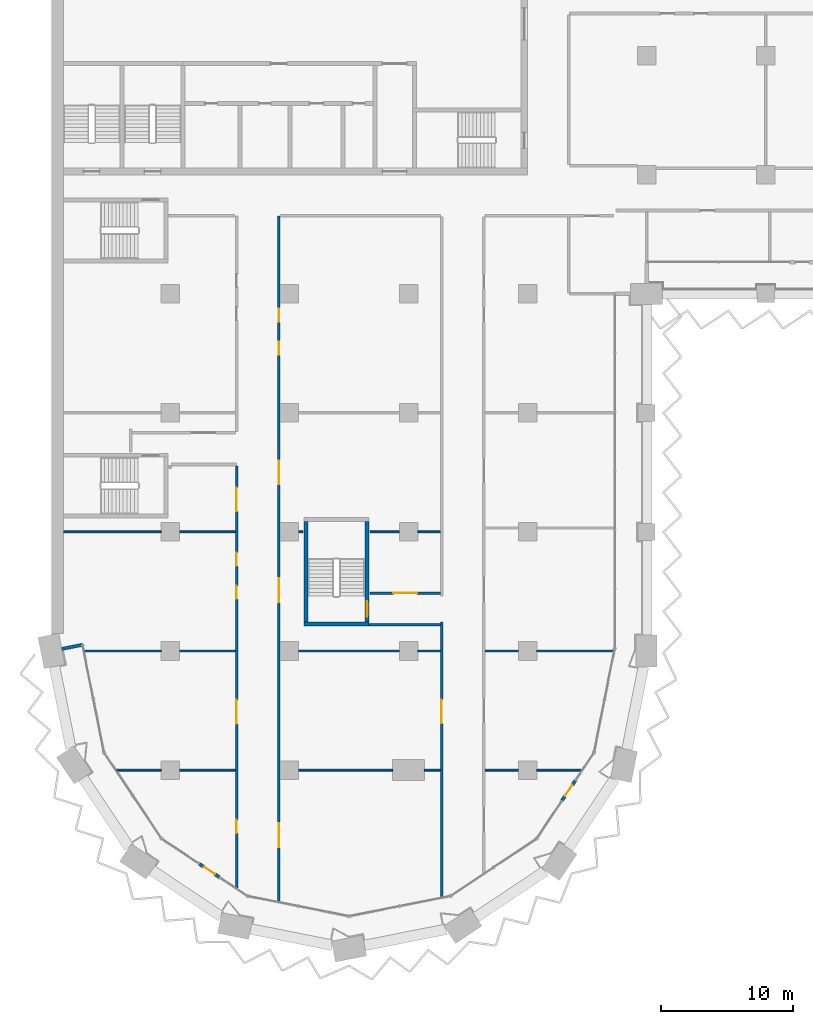
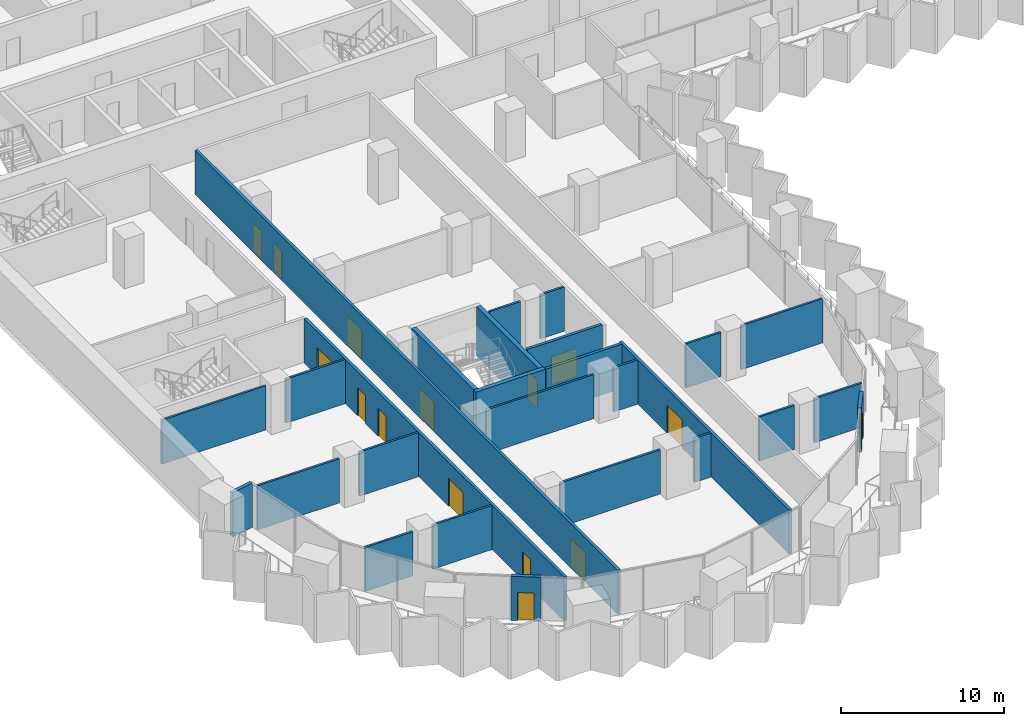
# One storey, part 10 of 29: 28 walls, 15 doors, 15 openings.
"""IFC4 building model written with IfcOpenShell, lengths in metres."""

from ifc_helpers import new_model, si_unit, direction, frame, frame_2d, origin, place, context, subcontext, project, spatial, rectangle, extrude, material, layer, layer_set, type_object, element, fill, save


model = new_model("IFC4")

# Units and contexts
model_context = context("Model", 3, precision=1e-05, world=origin(), true_north=direction((0.0, 1.0)))
body_context = subcontext(model_context, "Body", "Model", "MODEL_VIEW")
ifc_project = project(units=[si_unit("LENGTHUNIT", "METRE"), si_unit("AREAUNIT", "SQUARE_METRE"), si_unit("VOLUMEUNIT", "CUBIC_METRE"), si_unit("PLANEANGLEUNIT", "RADIAN"), si_unit("MASSUNIT", "GRAM", prefix="KILO")], contexts=[model_context])

# Site, building, storey
site_placement = place(None, origin())
site = spatial("IfcSite", under=ifc_project, at=site_placement, CompositionType="ELEMENT")
building_placement = place(site_placement, origin())
building = spatial("IfcBuilding", under=site, at=building_placement, Name="Hunhe Ridgeline Campus", CompositionType="ELEMENT")
storey_placement = place(building_placement, frame((0.0, 0.0, 65.39990234375)))
storey = spatial("IfcBuildingStorey", under=building, at=storey_placement, Name="L15", CompositionType="ELEMENT", Elevation=65.39990234375)

# Walls
ifc_material_1 = material(Name="Concrete C30", Category="concrete")
ifc_layer_1 = layer(ifc_material_1, 0.25)
ifc_layer_set_1 = layer_set([ifc_layer_1], Name="Corner return wall 250 Concrete C30")
wall_type_1 = type_object("IfcWallType", Name="Corner return wall 250 Concrete C30", PredefinedType="SOLIDWALL", material=ifc_layer_set_1)
wall_1_placement = place(storey_placement, frame((0.784423828125, 27.15673828125, 0.0), z_axis=(0.0, 0.0, 1.0), x_axis=(0.980826234823, 0.19488431718, 0.0)))
element("IfcWall", 1, at=wall_1_placement, inside=storey, type_object=wall_type_1, Name="Corner return wall 1", PredefinedType="SOLIDWALL", context=body_context, shape_type="SweptSolid", body=[
    extrude(rectangle(XDim=1.60107421875, YDim=0.25, at=frame_2d((0.800537109375, 0.0))), origin(), (0.0, 0.0, 1.0), 3.300048828125),
])
ifc_material_2 = material(Name="Gypsum board partition")
ifc_layer_2 = layer(ifc_material_2, 0.199951171875)
ifc_layer_set_2 = layer_set([ifc_layer_2], Name="Corridor partition 200 gypsum board on steel studs")
wall_type_2 = type_object("IfcWallType", Name="Corridor partition 200 gypsum board on steel studs", PredefinedType="PARTITIONING", material=ifc_layer_set_2)
wall_2_placement = place(storey_placement, frame((29.39990234375, 28.97509765625, 0.0), z_axis=(0.0, 0.0, 1.0), x_axis=(-1.0, 0.0, 0.0)))
element("IfcWall", 2, at=wall_2_placement, inside=storey, type_object=wall_type_2, Name="F-L15-wall-013", PredefinedType="PARTITIONING", context=body_context, shape_type="SweptSolid", body=[
    extrude(rectangle(XDim=5.369873046875, YDim=0.199951171875, at=frame_2d((2.68505859375, 0.0))), origin(), (0.0, 0.0, 1.0), 3.300048828125),
])

# Wall, opening, door
wall_3_placement = place(storey_placement, frame((24.10400390625, 31.375, 0.0), z_axis=(0.0, 0.0, 1.0), x_axis=(1.0, 0.0, 0.0)))
wall_3 = element("IfcWall", 3, at=wall_3_placement, inside=storey, type_object=wall_type_2, Name="F-L15-wall-014", PredefinedType="PARTITIONING", context=body_context, shape_type="SweptSolid", body=[
    extrude(rectangle(XDim=5.2958984375, YDim=0.199951171875, at=frame_2d((2.64794921875, 0.0))), origin(), (0.0, 0.0, 1.0), 3.300048828125),
])
opening_1_placement = place(wall_3_placement, frame((1.748046875, 0.0, 0.0)))
opening_1 = element("IfcOpeningElement", 4, at=opening_1_placement, cuts=wall_3, Name="Opening RD2-008", PredefinedType="OPENING", context=body_context, shape_type="SweptSolid", body=[
    extrude(rectangle(XDim=1.800048828125, YDim=2.10009765625, at=frame_2d((0.89990234375, 1.050048828125))), frame((0.0, 0.10009765625, 0.0), z_axis=(0.0, -1.0, 0.0), x_axis=(1.0, 0.0, 0.0)), (0.0, 0.0, 1.0), 0.199951171875),
])
ifc_material_3 = material(Name="Timber door leaf", Category="wood")
door_type_1 = type_object("IfcDoorType", Name="Double fire door 1800x2100 timber FD60", OperationType="DOUBLE_DOOR_SINGLE_SWING", PredefinedType="DOOR", material=ifc_material_3)
door_1_placement = place(opening_1_placement, origin())
door_1 = element("IfcDoor", 5, at=door_1_placement, inside=storey, type_object=door_type_1, Name="F-L15-door-008", OperationType="DOUBLE_DOOR_SINGLE_SWING", OverallHeight=2.10009765625, OverallWidth=1.800048828125, PredefinedType="DOOR", context=body_context, shape_type="SweptSolid", body=[
    extrude(rectangle(XDim=1.800048828125, YDim=2.10009765625, at=frame_2d((0.89990234375, 1.050048828125))), frame((0.0, 0.02490234375, 0.0), z_axis=(0.0, -1.0, 0.0), x_axis=(1.0, 0.0, 0.0)), (0.0, 0.0, 1.0), 0.050048828125),
])
fill(opening_1, door_1)

# Wall, openings, doors
wall_4_placement = place(storey_placement, frame((14.0, 9.091552734375, 0.0), z_axis=(0.0, 0.0, 1.0), x_axis=(0.0, 1.0, 0.0)))
wall_4 = element("IfcWall", 6, at=wall_4_placement, inside=storey, type_object=wall_type_2, Name="F-L15-wall-052", PredefinedType="PARTITIONING", context=body_context, shape_type="SweptSolid", body=[
    extrude(rectangle(XDim=31.8798828125, YDim=0.199951171875, at=frame_2d((15.93994140625, 0.0))), origin(), (0.0, 0.0, 1.0), 3.300048828125),
])
opening_2_placement = place(wall_4_placement, frame((4.143798828125, 0.0, 0.0)))
opening_2 = element("IfcOpeningElement", 7, at=opening_2_placement, cuts=wall_4, Name="Opening RD1-002", PredefinedType="OPENING", context=body_context, shape_type="SweptSolid", body=[
    extrude(rectangle(XDim=1.0, YDim=2.10009765625, at=frame_2d((0.5, 1.050048828125))), frame((0.0, 0.10009765625, 0.0), z_axis=(0.0, -1.0, 0.0), x_axis=(1.0, 0.0, 0.0)), (0.0, 0.0, 1.0), 0.199951171875),
])
opening_3_placement = place(wall_4_placement, frame((12.404296875, 0.0, 0.0)))
opening_3 = element("IfcOpeningElement", 8, at=opening_3_placement, cuts=wall_4, Name="Opening RD2-004", PredefinedType="OPENING", context=body_context, shape_type="SweptSolid", body=[
    extrude(rectangle(XDim=1.800048828125, YDim=2.10009765625, at=frame_2d((0.89990234375, 1.050048828125))), frame((0.0, 0.10009765625, 0.0), z_axis=(0.0, -1.0, 0.0), x_axis=(1.0, 0.0, 0.0)), (0.0, 0.0, 1.0), 0.199951171875),
])
opening_4_placement = place(wall_4_placement, frame((21.841064453125, 0.0, 0.0)))
opening_4 = element("IfcOpeningElement", 9, at=opening_4_placement, cuts=wall_4, Name="Opening RD1-007", PredefinedType="OPENING", context=body_context, shape_type="SweptSolid", body=[
    extrude(rectangle(XDim=1.0, YDim=2.10009765625, at=frame_2d((0.5, 1.050048828125))), frame((0.0, 0.10009765625, 0.0), z_axis=(0.0, -1.0, 0.0), x_axis=(1.0, 0.0, 0.0)), (0.0, 0.0, 1.0), 0.199951171875),
])
opening_5_placement = place(wall_4_placement, frame((24.341064453125, 0.0, 0.0)))
opening_5 = element("IfcOpeningElement", 10, at=opening_5_placement, cuts=wall_4, Name="Opening RD1-011", PredefinedType="OPENING", context=body_context, shape_type="SweptSolid", body=[
    extrude(rectangle(XDim=1.0, YDim=2.10009765625, at=frame_2d((0.5, 1.050048828125))), frame((0.0, 0.10009765625, 0.0), z_axis=(0.0, -1.0, 0.0), x_axis=(1.0, 0.0, 0.0)), (0.0, 0.0, 1.0), 0.199951171875),
])
opening_6_placement = place(wall_4_placement, frame((28.469482421875, 0.0, 0.0)))
opening_6 = element("IfcOpeningElement", 11, at=opening_6_placement, cuts=wall_4, Name="Opening RD2-012", PredefinedType="OPENING", context=body_context, shape_type="SweptSolid", body=[
    extrude(rectangle(XDim=1.800048828125, YDim=2.10009765625, at=frame_2d((0.89990234375, 1.050048828125))), frame((0.0, 0.10009765625, 0.0), z_axis=(0.0, -1.0, 0.0), x_axis=(1.0, 0.0, 0.0)), (0.0, 0.0, 1.0), 0.199951171875),
])
door_2_placement = place(opening_3_placement, origin())
door_2 = element("IfcDoor", 12, at=door_2_placement, inside=storey, type_object=door_type_1, Name="F-L15-door-004", OperationType="DOUBLE_DOOR_SINGLE_SWING", OverallHeight=2.10009765625, OverallWidth=1.800048828125, PredefinedType="DOOR", context=body_context, shape_type="SweptSolid", body=[
    extrude(rectangle(XDim=1.800048828125, YDim=2.10009765625, at=frame_2d((0.89990234375, 1.050048828125))), frame((0.0, 0.02490234375, 0.0), z_axis=(0.0, -1.0, 0.0), x_axis=(1.0, 0.0, 0.0)), (0.0, 0.0, 1.0), 0.050048828125),
])
fill(opening_3, door_2)
door_3_placement = place(opening_6_placement, origin())
door_3 = element("IfcDoor", 13, at=door_3_placement, inside=storey, type_object=door_type_1, Name="F-L15-door-012", OperationType="DOUBLE_DOOR_SINGLE_SWING", OverallHeight=2.10009765625, OverallWidth=1.800048828125, PredefinedType="DOOR", context=body_context, shape_type="SweptSolid", body=[
    extrude(rectangle(XDim=1.800048828125, YDim=2.10009765625, at=frame_2d((0.89990234375, 1.050048828125))), frame((0.0, 0.02490234375, 0.0), z_axis=(0.0, -1.0, 0.0), x_axis=(1.0, 0.0, 0.0)), (0.0, 0.0, 1.0), 0.050048828125),
])
fill(opening_6, door_3)
door_type_2 = type_object("IfcDoorType", Name="Single fire door 1000x2100 timber FD60", OperationType="NOTDEFINED", PredefinedType="DOOR", material=ifc_material_3)
door_4_placement = place(opening_2_placement, origin())
door_4 = element("IfcDoor", 14, at=door_4_placement, inside=storey, type_object=door_type_2, Name="F-L15-door-002", OperationType="SINGLE_SWING_RIGHT", OverallHeight=2.10009765625, OverallWidth=1.0, PredefinedType="DOOR", context=body_context, shape_type="SweptSolid", body=[
    extrude(rectangle(XDim=1.0, YDim=2.10009765625, at=frame_2d((0.5, 1.050048828125))), frame((0.0, 0.02490234375, 0.0), z_axis=(0.0, -1.0, 0.0), x_axis=(1.0, 0.0, 0.0)), (0.0, 0.0, 1.0), 0.050048828125),
])
fill(opening_2, door_4)
door_5_placement = place(opening_4_placement, frame((1.0, 0.0, 0.0), z_axis=(0.0, 0.0, 1.0), x_axis=(-1.0, 0.0, 0.0)))
door_5 = element("IfcDoor", 15, at=door_5_placement, inside=storey, type_object=door_type_2, Name="F-L15-door-007", OperationType="SINGLE_SWING_LEFT", OverallHeight=2.10009765625, OverallWidth=1.0, PredefinedType="DOOR", context=body_context, shape_type="SweptSolid", body=[
    extrude(rectangle(XDim=1.0, YDim=2.10009765625, at=frame_2d((0.5, 1.050048828125))), frame((0.0, 0.02490234375, 0.0), z_axis=(0.0, -1.0, 0.0), x_axis=(1.0, 0.0, 0.0)), (0.0, 0.0, 1.0), 0.050048828125),
])
fill(opening_4, door_5)
door_6_placement = place(opening_5_placement, frame((1.0, 0.0, 0.0), z_axis=(0.0, 0.0, 1.0), x_axis=(-1.0, 0.0, 0.0)))
door_6 = element("IfcDoor", 16, at=door_6_placement, inside=storey, type_object=door_type_2, Name="F-L15-door-011", OperationType="SINGLE_SWING_LEFT", OverallHeight=2.10009765625, OverallWidth=1.0, PredefinedType="DOOR", context=body_context, shape_type="SweptSolid", body=[
    extrude(rectangle(XDim=1.0, YDim=2.10009765625, at=frame_2d((0.5, 1.050048828125))), frame((0.0, 0.02490234375, 0.0), z_axis=(0.0, -1.0, 0.0), x_axis=(1.0, 0.0, 0.0)), (0.0, 0.0, 1.0), 0.050048828125),
])
fill(opening_5, door_6)

wall_5_placement = place(storey_placement, frame((17.199951171875, 59.89990234375, 0.0), z_axis=(0.0, 0.0, 1.0), x_axis=(0.0, -1.0, 0.0)))
wall_5 = element("IfcWall", 17, at=wall_5_placement, inside=storey, type_object=wall_type_2, Name="F-L15-wall-054", PredefinedType="PARTITIONING", context=body_context, shape_type="SweptSolid", body=[
    extrude(rectangle(XDim=51.842529296875, YDim=0.199951171875, at=frame_2d((25.92138671875, 0.0))), origin(), (0.0, 0.0, 1.0), 3.300048828125),
])
opening_7_placement = place(wall_5_placement, frame((45.93359375, 0.0, 0.0)))
opening_7 = element("IfcOpeningElement", 18, at=opening_7_placement, cuts=wall_5, Name="Opening RD2-001", PredefinedType="OPENING", context=body_context, shape_type="SweptSolid", body=[
    extrude(rectangle(XDim=1.800048828125, YDim=2.10009765625, at=frame_2d((0.89990234375, 1.050048828125))), frame((0.0, 0.10009765625, 0.0), z_axis=(0.0, -1.0, 0.0), x_axis=(1.0, 0.0, 0.0)), (0.0, 0.0, 1.0), 0.199951171875),
])
opening_8_placement = place(wall_5_placement, frame((27.400634765625, 0.0, 0.0)))
opening_8 = element("IfcOpeningElement", 19, at=opening_8_placement, cuts=wall_5, Name="Opening RD2-009", PredefinedType="OPENING", context=body_context, shape_type="SweptSolid", body=[
    extrude(rectangle(XDim=1.800048828125, YDim=2.10009765625, at=frame_2d((0.89990234375, 1.050048828125))), frame((0.0, 0.10009765625, 0.0), z_axis=(0.0, -1.0, 0.0), x_axis=(1.0, 0.0, 0.0)), (0.0, 0.0, 1.0), 0.199951171875),
])
opening_9_placement = place(wall_5_placement, frame((18.509765625, 0.0, 0.0)))
opening_9 = element("IfcOpeningElement", 20, at=opening_9_placement, cuts=wall_5, Name="Opening RD2-013", PredefinedType="OPENING", context=body_context, shape_type="SweptSolid", body=[
    extrude(rectangle(XDim=1.800048828125, YDim=2.10009765625, at=frame_2d((0.89990234375, 1.050048828125))), frame((0.0, 0.10009765625, 0.0), z_axis=(0.0, -1.0, 0.0), x_axis=(1.0, 0.0, 0.0)), (0.0, 0.0, 1.0), 0.199951171875),
])
opening_10_placement = place(wall_5_placement, frame((9.513427734375, 0.0, 0.0)))
opening_10 = element("IfcOpeningElement", 21, at=opening_10_placement, cuts=wall_5, Name="Opening RD1-016", PredefinedType="OPENING", context=body_context, shape_type="SweptSolid", body=[
    extrude(rectangle(XDim=1.0, YDim=2.10009765625, at=frame_2d((0.5, 1.050048828125))), frame((0.0, 0.10009765625, 0.0), z_axis=(0.0, -1.0, 0.0), x_axis=(1.0, 0.0, 0.0)), (0.0, 0.0, 1.0), 0.199951171875),
])
opening_11_placement = place(wall_5_placement, frame((7.013427734375, 0.0, 0.0)))
opening_11 = element("IfcOpeningElement", 22, at=opening_11_placement, cuts=wall_5, Name="Opening RD1-017", PredefinedType="OPENING", context=body_context, shape_type="SweptSolid", body=[
    extrude(rectangle(XDim=1.0, YDim=2.10009765625, at=frame_2d((0.5, 1.050048828125))), frame((0.0, 0.10009765625, 0.0), z_axis=(0.0, -1.0, 0.0), x_axis=(1.0, 0.0, 0.0)), (0.0, 0.0, 1.0), 0.199951171875),
])
door_7_placement = place(opening_7_placement, origin())
door_7 = element("IfcDoor", 23, at=door_7_placement, inside=storey, type_object=door_type_1, Name="F-L15-door-001", OperationType="DOUBLE_DOOR_SINGLE_SWING", OverallHeight=2.10009765625, OverallWidth=1.800048828125, PredefinedType="DOOR", context=body_context, shape_type="SweptSolid", body=[
    extrude(rectangle(XDim=1.800048828125, YDim=2.10009765625, at=frame_2d((0.89990234375, 1.050048828125))), frame((0.0, 0.02490234375, 0.0), z_axis=(0.0, -1.0, 0.0), x_axis=(1.0, 0.0, 0.0)), (0.0, 0.0, 1.0), 0.050048828125),
])
fill(opening_7, door_7)
door_8_placement = place(opening_8_placement, origin())
door_8 = element("IfcDoor", 24, at=door_8_placement, inside=storey, type_object=door_type_1, Name="F-L15-door-009", OperationType="DOUBLE_DOOR_SINGLE_SWING", OverallHeight=2.10009765625, OverallWidth=1.800048828125, PredefinedType="DOOR", context=body_context, shape_type="SweptSolid", body=[
    extrude(rectangle(XDim=1.800048828125, YDim=2.10009765625, at=frame_2d((0.89990234375, 1.050048828125))), frame((0.0, 0.02490234375, 0.0), z_axis=(0.0, -1.0, 0.0), x_axis=(1.0, 0.0, 0.0)), (0.0, 0.0, 1.0), 0.050048828125),
])
fill(opening_8, door_8)
door_9_placement = place(opening_9_placement, origin())
door_9 = element("IfcDoor", 25, at=door_9_placement, inside=storey, type_object=door_type_1, Name="F-L15-door-013", OperationType="DOUBLE_DOOR_SINGLE_SWING", OverallHeight=2.10009765625, OverallWidth=1.800048828125, PredefinedType="DOOR", context=body_context, shape_type="SweptSolid", body=[
    extrude(rectangle(XDim=1.800048828125, YDim=2.10009765625, at=frame_2d((0.89990234375, 1.050048828125))), frame((0.0, 0.02490234375, 0.0), z_axis=(0.0, -1.0, 0.0), x_axis=(1.0, 0.0, 0.0)), (0.0, 0.0, 1.0), 0.050048828125),
])
fill(opening_9, door_9)
door_10_placement = place(opening_10_placement, frame((1.0, 0.0, 0.0), z_axis=(0.0, 0.0, 1.0), x_axis=(-1.0, 0.0, 0.0)))
door_10 = element("IfcDoor", 26, at=door_10_placement, inside=storey, type_object=door_type_2, Name="F-L15-door-016", OperationType="SINGLE_SWING_LEFT", OverallHeight=2.10009765625, OverallWidth=1.0, PredefinedType="DOOR", context=body_context, shape_type="SweptSolid", body=[
    extrude(rectangle(XDim=1.0, YDim=2.10009765625, at=frame_2d((0.5, 1.050048828125))), frame((0.0, 0.02490234375, 0.0), z_axis=(0.0, -1.0, 0.0), x_axis=(1.0, 0.0, 0.0)), (0.0, 0.0, 1.0), 0.050048828125),
])
fill(opening_10, door_10)
door_11_placement = place(opening_11_placement, frame((1.0, 0.0, 0.0), z_axis=(0.0, 0.0, 1.0), x_axis=(-1.0, 0.0, 0.0)))
door_11 = element("IfcDoor", 27, at=door_11_placement, inside=storey, type_object=door_type_2, Name="F-L15-door-017", OperationType="SINGLE_SWING_RIGHT", OverallHeight=2.10009765625, OverallWidth=1.0, PredefinedType="DOOR", context=body_context, shape_type="SweptSolid", body=[
    extrude(rectangle(XDim=1.0, YDim=2.10009765625, at=frame_2d((0.5, 1.050048828125))), frame((0.0, 0.02490234375, 0.0), z_axis=(0.0, -1.0, 0.0), x_axis=(1.0, 0.0, 0.0)), (0.0, 0.0, 1.0), 0.050048828125),
])
fill(opening_11, door_11)

# Wall, opening, door
wall_6_placement = place(storey_placement, frame((29.5, 8.3955078125, 0.0), z_axis=(0.0, 0.0, 1.0), x_axis=(0.0, 1.0, 0.0)))
wall_6 = element("IfcWall", 28, at=wall_6_placement, inside=storey, type_object=wall_type_2, Name="F-L15-wall-055", PredefinedType="PARTITIONING", context=body_context, shape_type="SweptSolid", body=[
    extrude(rectangle(XDim=20.7998046875, YDim=0.199951171875, at=frame_2d((10.39990234375, 0.0))), origin(), (0.0, 0.0, 1.0), 3.300048828125),
])
opening_12_placement = place(wall_6_placement, frame((13.1337890625, 0.0, 0.0)))
opening_12 = element("IfcOpeningElement", 29, at=opening_12_placement, cuts=wall_6, Name="Opening RD2-005", PredefinedType="OPENING", context=body_context, shape_type="SweptSolid", body=[
    extrude(rectangle(XDim=1.800048828125, YDim=2.10009765625, at=frame_2d((0.89990234375, 1.050048828125))), frame((0.0, 0.10009765625, 0.0), z_axis=(0.0, -1.0, 0.0), x_axis=(1.0, 0.0, 0.0)), (0.0, 0.0, 1.0), 0.199951171875),
])
door_12_placement = place(opening_12_placement, origin())
door_12 = element("IfcDoor", 30, at=door_12_placement, inside=storey, type_object=door_type_1, Name="F-L15-door-005", OperationType="DOUBLE_DOOR_SINGLE_SWING", OverallHeight=2.10009765625, OverallWidth=1.800048828125, PredefinedType="DOOR", context=body_context, shape_type="SweptSolid", body=[
    extrude(rectangle(XDim=1.800048828125, YDim=2.10009765625, at=frame_2d((0.89990234375, 1.050048828125))), frame((0.0, 0.02490234375, 0.0), z_axis=(0.0, -1.0, 0.0), x_axis=(1.0, 0.0, 0.0)), (0.0, 0.0, 1.0), 0.050048828125),
])
fill(opening_12, door_12)

ifc_layer_3 = layer(ifc_material_1, 0.25)
ifc_layer_set_3 = layer_set([ifc_layer_3], Name="Loggia door pier wall 250 Concrete C30")
wall_type_3 = type_object("IfcWallType", Name="Loggia door pier wall 250 Concrete C30", PredefinedType="SOLIDWALL", material=ifc_layer_set_3)
wall_7_placement = place(storey_placement, frame((11.19970703125, 10.897705078125, 0.0), z_axis=(0.0, 0.0, 1.0), x_axis=(0.83146554274, -0.555576323502, 0.0)))
wall_7 = element("IfcWall", 31, at=wall_7_placement, inside=storey, type_object=wall_type_3, Name="Loggia door pier 1", PredefinedType="SOLIDWALL", context=body_context, shape_type="SweptSolid", body=[
    extrude(rectangle(XDim=1.800048828125, YDim=0.25, at=frame_2d((0.89990234375, 0.0))), origin(), (0.0, 0.0, 1.0), 3.300048828125),
])
opening_13_placement = place(wall_7_placement, frame((0.39990234375, 0.0, 0.0)))
opening_13 = element("IfcOpeningElement", 32, at=opening_13_placement, cuts=wall_7, Name="Opening BD102", PredefinedType="OPENING", context=body_context, shape_type="SweptSolid", body=[
    extrude(rectangle(XDim=1.0, YDim=2.10009765625, at=frame_2d((0.5, 1.050048828125))), frame((0.0, 0.125, 0.0), z_axis=(0.0, -1.0, 0.0), x_axis=(1.0, 0.0, 0.0)), (0.0, 0.0, 1.0), 0.25),
])
ifc_material_4 = material(Name="Aluminium 6063", Category="aluminium")
door_type_3 = type_object("IfcDoorType", Name="Loggia glazed door 1000x2100", OperationType="NOTDEFINED", PredefinedType="DOOR", material=ifc_material_4)
door_13_placement = place(opening_13_placement, frame((1.0, 0.0, 0.0), z_axis=(0.0, 0.0, 1.0), x_axis=(-1.0, 0.0, 0.0)))
door_13 = element("IfcDoor", 33, at=door_13_placement, inside=storey, type_object=door_type_3, Name="Loggia door BD102", OperationType="SINGLE_SWING_LEFT", OverallHeight=2.10009765625, OverallWidth=1.0, PredefinedType="DOOR", context=body_context, shape_type="SweptSolid", body=[
    extrude(rectangle(XDim=1.0, YDim=2.10009765625, at=frame_2d((0.5, 1.050048828125))), frame((0.0, 0.02490234375, 0.0), z_axis=(0.0, -1.0, 0.0), x_axis=(1.0, 0.0, 0.0)), (0.0, 0.0, 1.0), 0.050048828125),
])
fill(opening_13, door_13)

wall_8_placement = place(storey_placement, frame((38.602294921875, 15.69970703125, 0.0), z_axis=(0.0, 0.0, 1.0), x_axis=(0.555576323502, 0.83146554274, 0.0)))
wall_8 = element("IfcWall", 34, at=wall_8_placement, inside=storey, type_object=wall_type_3, Name="Loggia door pier 2", PredefinedType="SOLIDWALL", context=body_context, shape_type="SweptSolid", body=[
    extrude(rectangle(XDim=1.800048828125, YDim=0.25, at=frame_2d((0.89990234375, 0.0))), origin(), (0.0, 0.0, 1.0), 3.300048828125),
])
opening_14_placement = place(wall_8_placement, frame((0.39990234375, 0.0, 0.0)))
opening_14 = element("IfcOpeningElement", 35, at=opening_14_placement, cuts=wall_8, Name="Opening BD104", PredefinedType="OPENING", context=body_context, shape_type="SweptSolid", body=[
    extrude(rectangle(XDim=1.0, YDim=2.10009765625, at=frame_2d((0.5, 1.050048828125))), frame((0.0, 0.125, 0.0), z_axis=(0.0, -1.0, 0.0), x_axis=(1.0, 0.0, 0.0)), (0.0, 0.0, 1.0), 0.25),
])
door_14_placement = place(opening_14_placement, frame((1.0, 0.0, 0.0), z_axis=(0.0, 0.0, 1.0), x_axis=(-1.0, 0.0, 0.0)))
door_14 = element("IfcDoor", 36, at=door_14_placement, inside=storey, type_object=door_type_3, Name="Loggia door BD104", OperationType="SINGLE_SWING_LEFT", OverallHeight=2.10009765625, OverallWidth=1.0, PredefinedType="DOOR", context=body_context, shape_type="SweptSolid", body=[
    extrude(rectangle(XDim=1.0, YDim=2.10009765625, at=frame_2d((0.5, 1.050048828125))), frame((0.0, 0.02490234375, 0.0), z_axis=(0.0, -1.0, 0.0), x_axis=(1.0, 0.0, 0.0)), (0.0, 0.0, 1.0), 0.050048828125),
])
fill(opening_14, door_14)

# Walls
ifc_layer_4 = layer(ifc_material_2, 0.14990234375)
ifc_layer_set_4 = layer_set([ifc_layer_4], Name="Room partition 150 gypsum board on steel studs")
wall_type_4 = type_object("IfcWallType", Name="Room partition 150 gypsum board on steel studs", PredefinedType="PARTITIONING", material=ifc_layer_set_4)
wall_9_placement = place(storey_placement, frame((4.925537109375, 18.0, 0.0), z_axis=(0.0, 0.0, 1.0), x_axis=(1.0, 0.0, 0.0)))
element("IfcWall", 37, at=wall_9_placement, inside=storey, type_object=wall_type_4, Name="F-L15-wall-001", PredefinedType="PARTITIONING", context=body_context, shape_type="SweptSolid", body=[
    extrude(rectangle(XDim=3.37451171875, YDim=0.14990234375, at=frame_2d((1.687255859375, 0.0))), origin(), (0.0, 0.0, 1.0), 3.300048828125),
])
wall_10_placement = place(storey_placement, frame((9.699951171875, 18.0, 0.0), z_axis=(0.0, 0.0, 1.0), x_axis=(1.0, 0.0, 0.0)))
element("IfcWall", 38, at=wall_10_placement, inside=storey, type_object=wall_type_4, Name="F-L15-wall-002", PredefinedType="PARTITIONING", context=body_context, shape_type="SweptSolid", body=[
    extrude(rectangle(XDim=4.199951171875, YDim=0.14990234375, at=frame_2d((2.10009765625, 0.0))), origin(), (0.0, 0.0, 1.0), 3.300048828125),
])
wall_11_placement = place(storey_placement, frame((18.699951171875, 18.0, 0.0), z_axis=(0.0, 0.0, 1.0), x_axis=(1.0, 0.0, 0.0)))
element("IfcWall", 39, at=wall_11_placement, inside=storey, type_object=wall_type_4, Name="F-L15-wall-003", PredefinedType="PARTITIONING", context=body_context, shape_type="SweptSolid", body=[
    extrude(rectangle(XDim=7.10009765625, YDim=0.14990234375, at=frame_2d((3.550048828125, 0.0))), origin(), (0.0, 0.0, 1.0), 3.300048828125),
])
wall_12_placement = place(storey_placement, frame((28.199951171875, 18.0, 0.0), z_axis=(0.0, 0.0, 1.0), x_axis=(1.0, 0.0, 0.0)))
element("IfcWall", 40, at=wall_12_placement, inside=storey, type_object=wall_type_4, Name="F-L15-wall-004", PredefinedType="PARTITIONING", context=body_context, shape_type="SweptSolid", body=[
    extrude(rectangle(XDim=1.199951171875, YDim=0.14990234375, at=frame_2d((0.60009765625, 0.0))), origin(), (0.0, 0.0, 1.0), 3.300048828125),
])
wall_13_placement = place(storey_placement, frame((32.800048828125, 18.0, 0.0), z_axis=(0.0, 0.0, 1.0), x_axis=(1.0, 0.0, 0.0)))
element("IfcWall", 41, at=wall_13_placement, inside=storey, type_object=wall_type_4, Name="F-L15-wall-005", PredefinedType="PARTITIONING", context=body_context, shape_type="SweptSolid", body=[
    extrude(rectangle(XDim=2.5, YDim=0.14990234375, at=frame_2d((1.25, 0.0))), origin(), (0.0, 0.0, 1.0), 3.300048828125),
])
wall_14_placement = place(storey_placement, frame((36.699951171875, 18.0, 0.0), z_axis=(0.0, 0.0, 1.0), x_axis=(1.0, 0.0, 0.0)))
element("IfcWall", 42, at=wall_14_placement, inside=storey, type_object=wall_type_4, Name="F-L15-wall-006", PredefinedType="PARTITIONING", context=body_context, shape_type="SweptSolid", body=[
    extrude(rectangle(XDim=3.37451171875, YDim=0.14990234375, at=frame_2d((1.687255859375, 0.0))), origin(), (0.0, 0.0, 1.0), 3.300048828125),
])
wall_15_placement = place(storey_placement, frame((2.503173828125, 27.0, 0.0), z_axis=(0.0, 0.0, 1.0), x_axis=(1.0, 0.0, 0.0)))
element("IfcWall", 43, at=wall_15_placement, inside=storey, type_object=wall_type_4, Name="F-L15-wall-007", PredefinedType="PARTITIONING", context=body_context, shape_type="SweptSolid", body=[
    extrude(rectangle(XDim=5.796875, YDim=0.14990234375, at=frame_2d((2.8984375, 0.0))), origin(), (0.0, 0.0, 1.0), 3.300048828125),
])
wall_16_placement = place(storey_placement, frame((9.699951171875, 27.0, 0.0), z_axis=(0.0, 0.0, 1.0), x_axis=(1.0, 0.0, 0.0)))
element("IfcWall", 44, at=wall_16_placement, inside=storey, type_object=wall_type_4, Name="F-L15-wall-008", PredefinedType="PARTITIONING", context=body_context, shape_type="SweptSolid", body=[
    extrude(rectangle(XDim=4.199951171875, YDim=0.14990234375, at=frame_2d((2.10009765625, 0.0))), origin(), (0.0, 0.0, 1.0), 3.300048828125),
])
wall_17_placement = place(storey_placement, frame((18.699951171875, 27.0, 0.0), z_axis=(0.0, 0.0, 1.0), x_axis=(1.0, 0.0, 0.0)))
element("IfcWall", 45, at=wall_17_placement, inside=storey, type_object=wall_type_4, Name="F-L15-wall-009", PredefinedType="PARTITIONING", context=body_context, shape_type="SweptSolid", body=[
    extrude(rectangle(XDim=7.60009765625, YDim=0.14990234375, at=frame_2d((3.800048828125, 0.0))), origin(), (0.0, 0.0, 1.0), 3.300048828125),
])
wall_18_placement = place(storey_placement, frame((27.699951171875, 27.0, 0.0), z_axis=(0.0, 0.0, 1.0), x_axis=(1.0, 0.0, 0.0)))
element("IfcWall", 46, at=wall_18_placement, inside=storey, type_object=wall_type_4, Name="F-L15-wall-010", PredefinedType="PARTITIONING", context=body_context, shape_type="SweptSolid", body=[
    extrude(rectangle(XDim=1.699951171875, YDim=0.14990234375, at=frame_2d((0.85009765625, 0.0))), origin(), (0.0, 0.0, 1.0), 3.300048828125),
])
wall_19_placement = place(storey_placement, frame((32.800048828125, 27.0, 0.0), z_axis=(0.0, 0.0, 1.0), x_axis=(1.0, 0.0, 0.0)))
element("IfcWall", 47, at=wall_19_placement, inside=storey, type_object=wall_type_4, Name="F-L15-wall-011", PredefinedType="PARTITIONING", context=body_context, shape_type="SweptSolid", body=[
    extrude(rectangle(XDim=2.5, YDim=0.14990234375, at=frame_2d((1.25, 0.0))), origin(), (0.0, 0.0, 1.0), 3.300048828125),
])
wall_20_placement = place(storey_placement, frame((36.699951171875, 27.0, 0.0), z_axis=(0.0, 0.0, 1.0), x_axis=(1.0, 0.0, 0.0)))
element("IfcWall", 48, at=wall_20_placement, inside=storey, type_object=wall_type_4, Name="F-L15-wall-012", PredefinedType="PARTITIONING", context=body_context, shape_type="SweptSolid", body=[
    extrude(rectangle(XDim=5.796875, YDim=0.14990234375, at=frame_2d((2.8984375, 0.0))), origin(), (0.0, 0.0, 1.0), 3.300048828125),
])
wall_21_placement = place(storey_placement, frame((0.919921875, 36.0, 0.0), z_axis=(0.0, 0.0, 1.0), x_axis=(1.0, 0.0, 0.0)))
element("IfcWall", 49, at=wall_21_placement, inside=storey, type_object=wall_type_4, Name="F-L15-wall-015", PredefinedType="PARTITIONING", context=body_context, shape_type="SweptSolid", body=[
    extrude(rectangle(XDim=7.380126953125, YDim=0.14990234375, at=frame_2d((3.68994140625, 0.0))), origin(), (0.0, 0.0, 1.0), 3.300048828125),
])
wall_22_placement = place(storey_placement, frame((9.699951171875, 36.0, 0.0), z_axis=(0.0, 0.0, 1.0), x_axis=(1.0, 0.0, 0.0)))
element("IfcWall", 50, at=wall_22_placement, inside=storey, type_object=wall_type_4, Name="F-L15-wall-016", PredefinedType="PARTITIONING", context=body_context, shape_type="SweptSolid", body=[
    extrude(rectangle(XDim=4.199951171875, YDim=0.14990234375, at=frame_2d((2.10009765625, 0.0))), origin(), (0.0, 0.0, 1.0), 3.300048828125),
])
wall_23_placement = place(storey_placement, frame((18.699951171875, 36.0, 0.0), z_axis=(0.0, 0.0, 1.0), x_axis=(1.0, 0.0, 0.0)))
element("IfcWall", 51, at=wall_23_placement, inside=storey, type_object=wall_type_4, Name="F-L15-wall-017", PredefinedType="PARTITIONING", context=body_context, shape_type="SweptSolid", body=[
    extrude(rectangle(XDim=0.296142578125, YDim=0.14990234375, at=frame_2d((0.14794921875, 0.0))), origin(), (0.0, 0.0, 1.0), 3.300048828125),
])
wall_24_placement = place(storey_placement, frame((24.10400390625, 36.0, 0.0), z_axis=(0.0, 0.0, 1.0), x_axis=(1.0, 0.0, 0.0)))
element("IfcWall", 52, at=wall_24_placement, inside=storey, type_object=wall_type_4, Name="F-L15-wall-018", PredefinedType="PARTITIONING", context=body_context, shape_type="SweptSolid", body=[
    extrude(rectangle(XDim=2.196044921875, YDim=0.14990234375, at=frame_2d((1.09814453125, 0.0))), origin(), (0.0, 0.0, 1.0), 3.300048828125),
])
wall_25_placement = place(storey_placement, frame((27.699951171875, 36.0, 0.0), z_axis=(0.0, 0.0, 1.0), x_axis=(1.0, 0.0, 0.0)))
element("IfcWall", 53, at=wall_25_placement, inside=storey, type_object=wall_type_4, Name="F-L15-wall-019", PredefinedType="PARTITIONING", context=body_context, shape_type="SweptSolid", body=[
    extrude(rectangle(XDim=1.699951171875, YDim=0.14990234375, at=frame_2d((0.85009765625, 0.0))), origin(), (0.0, 0.0, 1.0), 3.300048828125),
])
ifc_material_5 = material(Name="Concrete C80", Category="concrete")
ifc_layer_5 = layer(ifc_material_5, 0.300048828125)
ifc_layer_set_5 = layer_set([ifc_layer_5], Name="Stair wall 300 reinforced concrete C80")
wall_type_5 = type_object("IfcWallType", Name="Stair wall 300 reinforced concrete C80", PredefinedType="SOLIDWALL", material=ifc_layer_set_5)
wall_26_placement = place(storey_placement, frame((19.10009765625, 29.050048828125, -0.39990234375), z_axis=(0.0, 0.0, 1.0), x_axis=(1.0, 0.0, 0.0)))
element("IfcWall", 54, at=wall_26_placement, inside=storey, type_object=wall_type_5, Name="L15 core wall 1", PredefinedType="SOLIDWALL", context=body_context, shape_type="SweptSolid", body=[
    extrude(rectangle(XDim=4.89990234375, YDim=0.300048828125, at=frame_2d((2.449951171875, 0.0))), origin(), (0.0, 0.0, 1.0), 3.699951171875),
])
wall_27_placement = place(storey_placement, frame((19.25, 29.199951171875, -0.39990234375), z_axis=(0.0, 0.0, 1.0), x_axis=(0.0, 1.0, 0.0)))
element("IfcWall", 55, at=wall_27_placement, inside=storey, type_object=wall_type_5, Name="L15 core wall 51", PredefinedType="SOLIDWALL", context=body_context, shape_type="SweptSolid", body=[
    extrude(rectangle(XDim=7.60009765625, YDim=0.300048828125, at=frame_2d((3.800048828125, 0.0))), origin(), (0.0, 0.0, 1.0), 3.699951171875),
])

# Wall, opening, door
wall_28_placement = place(storey_placement, frame((23.85009765625, 29.199951171875, -0.39990234375), z_axis=(0.0, 0.0, 1.0), x_axis=(0.0, 1.0, 0.0)))
wall_28 = element("IfcWall", 56, at=wall_28_placement, inside=storey, type_object=wall_type_5, Name="L15 core wall 56", PredefinedType="SOLIDWALL", context=body_context, shape_type="SweptSolid", body=[
    extrude(rectangle(XDim=7.60009765625, YDim=0.300048828125, at=frame_2d((3.800048828125, 0.0))), origin(), (0.0, 0.0, 1.0), 3.699951171875),
])
opening_15_placement = place(wall_28_placement, frame((0.375, 0.0, 0.39990234375)))
opening_15 = element("IfcOpeningElement", 57, at=opening_15_placement, cuts=wall_28, Name="Opening CD23", PredefinedType="OPENING", context=body_context, shape_type="SweptSolid", body=[
    extrude(rectangle(XDim=1.199951171875, YDim=2.10009765625, at=frame_2d((0.60009765625, 1.050048828125))), frame((0.0, 0.14990234375, 0.0), z_axis=(0.0, -1.0, 0.0), x_axis=(1.0, 0.0, 0.0)), (0.0, 0.0, 1.0), 0.300048828125),
])
ifc_material_6 = material(Name="Hollow metal fire door leaf")
door_type_4 = type_object("IfcDoorType", Name="Stair door 1200x2100 FD60", OperationType="SINGLE_SWING_LEFT", PredefinedType="DOOR", material=ifc_material_6)
door_15_placement = place(opening_15_placement, frame((1.199951171875, 0.0, 0.0), z_axis=(0.0, 0.0, 1.0), x_axis=(-1.0, 0.0, 0.0)))
door_15 = element("IfcDoor", 58, at=door_15_placement, inside=storey, type_object=door_type_4, Name="L15 door W3", OperationType="SINGLE_SWING_RIGHT", OverallHeight=2.10009765625, OverallWidth=1.199951171875, PredefinedType="DOOR", context=body_context, shape_type="SweptSolid", body=[
    extrude(rectangle(XDim=1.199951171875, YDim=2.10009765625, at=frame_2d((0.60009765625, 1.050048828125))), frame((0.0, 0.02490234375, 0.0), z_axis=(0.0, -1.0, 0.0), x_axis=(1.0, 0.0, 0.0)), (0.0, 0.0, 1.0), 0.050048828125),
])
fill(opening_15, door_15)

save(model, "model.ifc")
